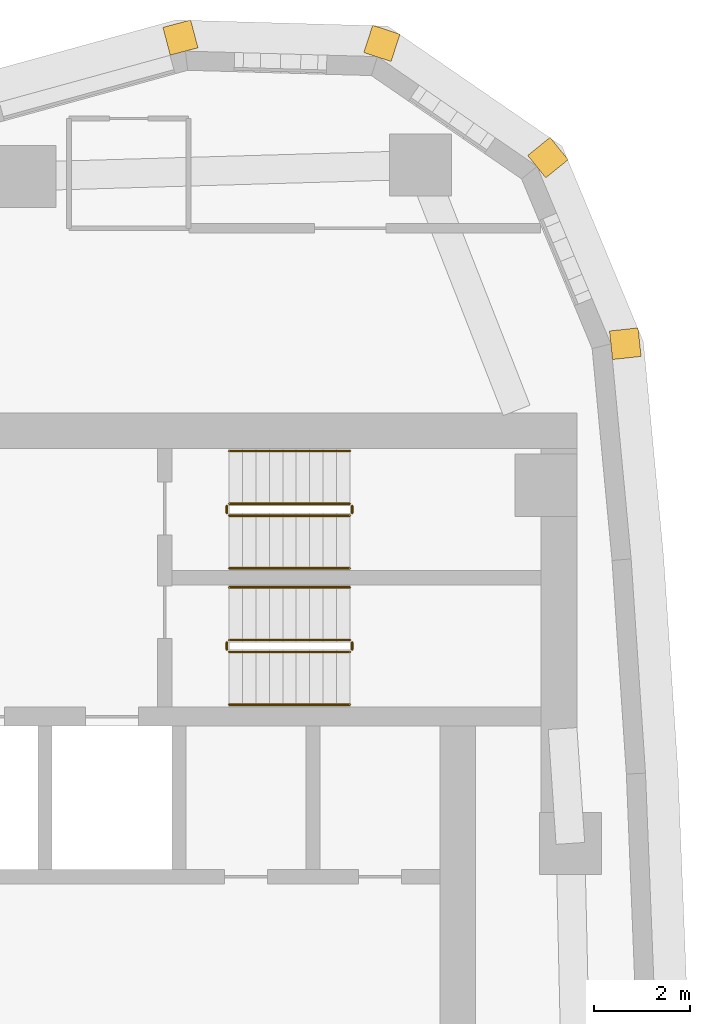
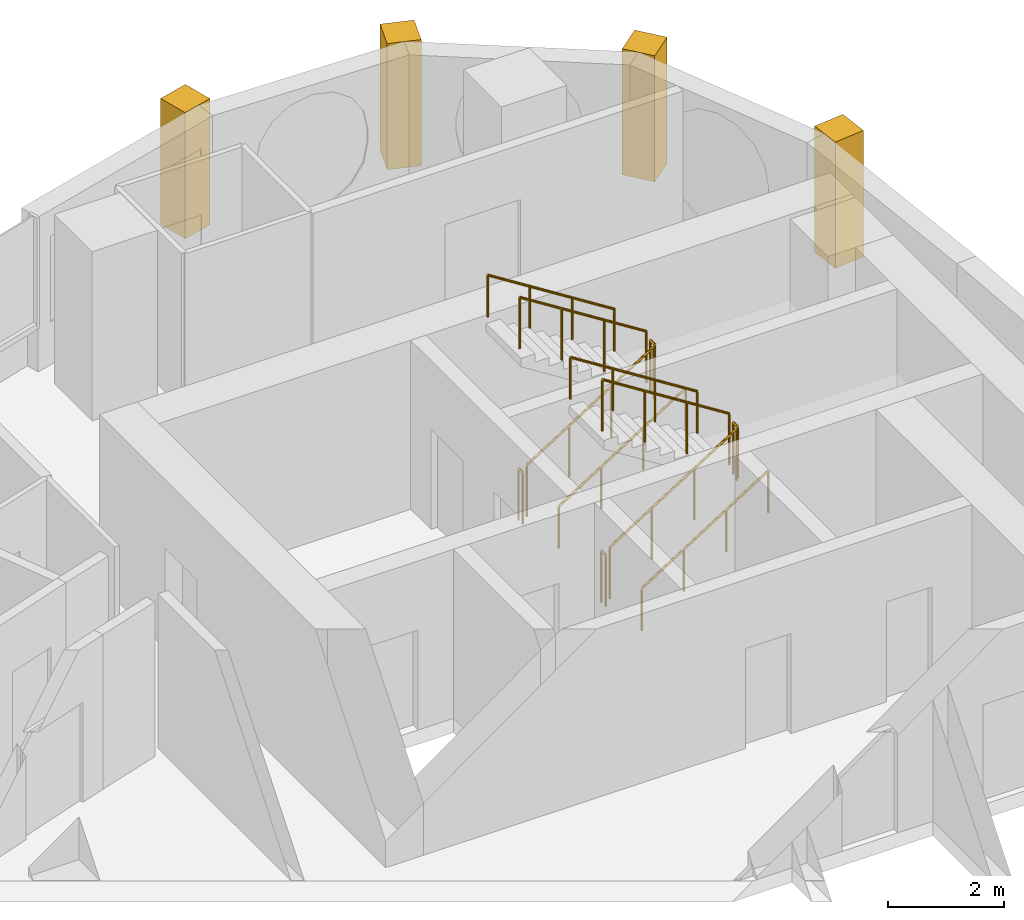
# One storey, part 17 of 17: 12 railings, 4 coverings.
"""IFC4 building model written with IfcOpenShell, lengths in metres."""

from ifc_helpers import new_model, si_unit, direction, frame, frame_2d, origin, origin_2d, place, context, subcontext, project, spatial, rectangle, circle, extrude, material, layer, layer_set, type_object, element, save


model = new_model("IFC4")

# Units and contexts
model_context = context("Model", 3, precision=1e-05, world=origin(), true_north=direction((0.0, 1.0)))
body_context = subcontext(model_context, "Body", "Model", "MODEL_VIEW")
ifc_project = project(units=[si_unit("LENGTHUNIT", "METRE"), si_unit("AREAUNIT", "SQUARE_METRE"), si_unit("VOLUMEUNIT", "CUBIC_METRE"), si_unit("PLANEANGLEUNIT", "RADIAN"), si_unit("MASSUNIT", "GRAM", prefix="KILO")], contexts=[model_context])

# Site, building, storey
site_placement = place(None, origin())
site = spatial("IfcSite", under=ifc_project, at=site_placement, CompositionType="ELEMENT")
building_placement = place(site_placement, origin())
building = spatial("IfcBuilding", under=site, at=building_placement, Name="Ostrand Prow Hotel Tower", CompositionType="ELEMENT")
storey_placement = place(building_placement, frame((0.0, 0.0, 179.050048828125)))
storey = spatial("IfcBuildingStorey", under=building, at=storey_placement, Name="L44", CompositionType="ELEMENT", Elevation=179.050048828125)

# Coverings
ifc_material_1 = material(Name="Limestone cladding", Category="masonry")
ifc_layer = layer(ifc_material_1, 0.60009765625)
ifc_layer_set = layer_set([ifc_layer], Name="Limestone cladding")
covering_type = type_object("IfcCoveringType", Name="Precast stone prow rib 600x600", PredefinedType="CLADDING", material=ifc_layer_set)
for number, where, z_axis, x_axis, name in (
    (1, (65.18017578125, 17.9111328125, 0.599853515625), (0.0, 0.0, 1.0), (0.994255138911, 0.107036062846, 0.0), "Stone corner rib 13a"),
    (2, (63.6279296875, 21.643798828125, 0.599853515625), (0.0, 0.0, 1.0), (0.776922530767, 0.62959620487, 0.0), "Stone corner rib 14a"),
    (3, (60.297607421875, 23.935302734375, 0.599853515625), (0.0, 0.0, 1.0), (0.310484329644, 0.950578498098, 0.0), "Stone corner rib 15a"),
    (4, (56.256591796875, 24.05126953125, 0.599853515625), (0.0, 0.0, 1.0), (-0.255154261231, 0.966900358349, 0.0), "Stone corner rib 15b"),
):
    element("IfcCovering", number, at=place(storey_placement, frame(where, z_axis=z_axis, x_axis=x_axis)), inside=storey, type_object=covering_type, Name=name, PredefinedType="CLADDING", context=body_context, shape_type="SweptSolid", body=[
        extrude(rectangle(XDim=0.599853515625, YDim=0.60009765625, at=frame_2d((0.2998046875, 0.0))), origin(), (0.0, 0.0, 1.0), 2.650146484375),
    ])

# Railings
ifc_material_2 = material(Name="Painted steel", Category="steel")
railing_type_1 = type_object("IfcRailingType", Name="Stair guard 1100", PredefinedType="GUARDRAIL", material=ifc_material_2)
railing_1_placement = place(storey_placement, frame((57.199951171875, 11.5, 0.177490234375)))
element("IfcRailing", 5, at=railing_1_placement, inside=storey, type_object=railing_type_1, Name="L44 ST1C stair guard 1", PredefinedType="GUARDRAIL", context=body_context, shape_type="SweptSolid", body=[
    extrude(circle(Radius=0.02392578125, at=origin_2d()), frame((0.0, 0.0, 1.076171875), z_axis=(0.84460694969, 0.0, 0.535386869969), x_axis=(0.0, 1.0, 0.0)), (0.0, 0.0, 1.0), 2.983642578125),
    extrude(circle(Radius=0.02099609375, at=origin_2d()), origin(), (0.0, 0.0, 1.0), 1.052001953125),
    extrude(circle(Radius=0.02099609375, at=origin_2d()), frame((0.840087890625, 0.0, 0.532470703125)), (0.0, 0.0, 1.0), 1.052001953125),
    extrude(circle(Radius=0.02099609375, at=origin_2d()), frame((1.679931640625, 0.0, 1.06494140625)), (0.0, 0.0, 1.0), 1.052001953125),
    extrude(circle(Radius=0.02099609375, at=origin_2d()), frame((2.52001953125, 0.0, 1.597412109375)), (0.0, 0.0, 1.0), 1.052001953125),
])
railing_2_placement = place(storey_placement, frame((59.77001953125, 11.550048828125, 1.77490234375)))
element("IfcRailing", 6, at=railing_2_placement, inside=storey, type_object=railing_type_1, Name="L44 ST1C stair guard 2", PredefinedType="GUARDRAIL", context=body_context, shape_type="SweptSolid", body=[
    extrude(circle(Radius=0.02392578125, at=origin_2d()), frame((0.0, 0.0, 1.076171875), z_axis=(0.0, 1.0, 0.0), x_axis=(-1.0, 0.0, 0.0)), (0.0, 0.0, 1.0), 0.14990234375),
    extrude(circle(Radius=0.02099609375, at=origin_2d()), origin(), (0.0, 0.0, 1.0), 1.052001953125),
    extrude(circle(Radius=0.02099609375, at=origin_2d()), frame((0.0, 0.14990234375, 0.0)), (0.0, 0.0, 1.0), 1.052001953125),
])
railing_3_placement = place(storey_placement, frame((59.719970703125, 11.75, 1.952392578125)))
element("IfcRailing", 7, at=railing_3_placement, inside=storey, type_object=railing_type_1, Name="L44 ST1C stair guard 3", PredefinedType="GUARDRAIL", context=body_context, shape_type="SweptSolid", body=[
    extrude(circle(Radius=0.02392578125, at=origin_2d()), frame((0.0, 0.0, 1.076171875), z_axis=(-0.84456994832, 0.0, 0.535445237532), x_axis=(0.0, -1.0, 0.0)), (0.0, 0.0, 1.0), 2.98388671875),
    extrude(circle(Radius=0.02099609375, at=origin_2d()), origin(), (0.0, 0.0, 1.0), 1.052001953125),
    extrude(circle(Radius=0.02099609375, at=origin_2d()), frame((-0.840087890625, 0.0, 0.532470703125)), (0.0, 0.0, 1.0), 1.052001953125),
    extrude(circle(Radius=0.02099609375, at=origin_2d()), frame((-1.679931640625, 0.0, 1.065185546875)), (0.0, 0.0, 1.0), 1.052001953125),
    extrude(circle(Radius=0.02099609375, at=origin_2d()), frame((-2.52001953125, 0.0, 1.59765625)), (0.0, 0.0, 1.0), 1.052001953125),
])
railing_4_placement = place(storey_placement, frame((57.14990234375, 11.550048828125, 0.0)))
element("IfcRailing", 8, at=railing_4_placement, inside=storey, type_object=railing_type_1, Name="L44 ST1C stair guard 4", PredefinedType="GUARDRAIL", context=body_context, shape_type="SweptSolid", body=[
    extrude(circle(Radius=0.02392578125, at=origin_2d()), frame((0.0, 0.0, 1.076171875), z_axis=(0.0, 1.0, 0.0), x_axis=(-1.0, 0.0, 0.0)), (0.0, 0.0, 1.0), 0.14990234375),
    extrude(circle(Radius=0.02099609375, at=origin_2d()), origin(), (0.0, 0.0, 1.0), 1.052001953125),
    extrude(circle(Radius=0.02099609375, at=origin_2d()), frame((0.0, 0.14990234375, 0.0)), (0.0, 0.0, 1.0), 1.052001953125),
])
railing_5_placement = place(storey_placement, frame((57.199951171875, 14.35009765625, 0.177490234375)))
element("IfcRailing", 9, at=railing_5_placement, inside=storey, type_object=railing_type_1, Name="L44 ST3C stair guard 1", PredefinedType="GUARDRAIL", context=body_context, shape_type="SweptSolid", body=[
    extrude(circle(Radius=0.02392578125, at=origin_2d()), frame((0.0, 0.0, 1.076171875), z_axis=(0.84460694969, 0.0, 0.535386869969), x_axis=(0.0, 1.0, 0.0)), (0.0, 0.0, 1.0), 2.983642578125),
    extrude(circle(Radius=0.02099609375, at=origin_2d()), origin(), (0.0, 0.0, 1.0), 1.052001953125),
    extrude(circle(Radius=0.02099609375, at=origin_2d()), frame((0.840087890625, 0.0, 0.532470703125)), (0.0, 0.0, 1.0), 1.052001953125),
    extrude(circle(Radius=0.02099609375, at=origin_2d()), frame((1.679931640625, 0.0, 1.06494140625)), (0.0, 0.0, 1.0), 1.052001953125),
    extrude(circle(Radius=0.02099609375, at=origin_2d()), frame((2.52001953125, 0.0, 1.597412109375)), (0.0, 0.0, 1.0), 1.052001953125),
])
railing_6_placement = place(storey_placement, frame((59.77001953125, 14.39990234375, 1.77490234375)))
element("IfcRailing", 10, at=railing_6_placement, inside=storey, type_object=railing_type_1, Name="L44 ST3C stair guard 2", PredefinedType="GUARDRAIL", context=body_context, shape_type="SweptSolid", body=[
    extrude(circle(Radius=0.02392578125, at=origin_2d()), frame((0.0, 0.0, 1.076171875), z_axis=(0.0, 1.0, 0.0), x_axis=(-1.0, 0.0, 0.0)), (0.0, 0.0, 1.0), 0.150146484375),
    extrude(circle(Radius=0.02099609375, at=origin_2d()), origin(), (0.0, 0.0, 1.0), 1.052001953125),
    extrude(circle(Radius=0.02099609375, at=origin_2d()), frame((0.0, 0.150146484375, 0.0)), (0.0, 0.0, 1.0), 1.052001953125),
])
railing_7_placement = place(storey_placement, frame((59.719970703125, 14.60009765625, 1.952392578125)))
element("IfcRailing", 11, at=railing_7_placement, inside=storey, type_object=railing_type_1, Name="L44 ST3C stair guard 3", PredefinedType="GUARDRAIL", context=body_context, shape_type="SweptSolid", body=[
    extrude(circle(Radius=0.02392578125, at=origin_2d()), frame((0.0, 0.0, 1.076171875), z_axis=(-0.84456994832, 0.0, 0.535445237532), x_axis=(0.0, -1.0, 0.0)), (0.0, 0.0, 1.0), 2.98388671875),
    extrude(circle(Radius=0.02099609375, at=origin_2d()), origin(), (0.0, 0.0, 1.0), 1.052001953125),
    extrude(circle(Radius=0.02099609375, at=origin_2d()), frame((-0.840087890625, 0.0, 0.532470703125)), (0.0, 0.0, 1.0), 1.052001953125),
    extrude(circle(Radius=0.02099609375, at=origin_2d()), frame((-1.679931640625, 0.0, 1.065185546875)), (0.0, 0.0, 1.0), 1.052001953125),
    extrude(circle(Radius=0.02099609375, at=origin_2d()), frame((-2.52001953125, 0.0, 1.59765625)), (0.0, 0.0, 1.0), 1.052001953125),
])
railing_8_placement = place(storey_placement, frame((57.14990234375, 14.39990234375, 0.0)))
element("IfcRailing", 12, at=railing_8_placement, inside=storey, type_object=railing_type_1, Name="L44 ST3C stair guard 4", PredefinedType="GUARDRAIL", context=body_context, shape_type="SweptSolid", body=[
    extrude(circle(Radius=0.02392578125, at=origin_2d()), frame((0.0, 0.0, 1.076171875), z_axis=(0.0, 1.0, 0.0), x_axis=(-1.0, 0.0, 0.0)), (0.0, 0.0, 1.0), 0.150146484375),
    extrude(circle(Radius=0.02099609375, at=origin_2d()), origin(), (0.0, 0.0, 1.0), 1.052001953125),
    extrude(circle(Radius=0.02099609375, at=origin_2d()), frame((0.0, 0.150146484375, 0.0)), (0.0, 0.0, 1.0), 1.052001953125),
])
ifc_material_3 = material(Name="Stainless steel", Category="steel")
railing_type_2 = type_object("IfcRailingType", Name="Stair handrail 900", PredefinedType="HANDRAIL", material=ifc_material_3)
railing_9_placement = place(storey_placement, frame((57.199951171875, 10.39990234375, 0.177490234375)))
element("IfcRailing", 13, at=railing_9_placement, inside=storey, type_object=railing_type_2, Name="L44 ST1C stair handrail 1", PredefinedType="HANDRAIL", context=body_context, shape_type="SweptSolid", body=[
    extrude(circle(Radius=0.02392578125, at=origin_2d()), frame((0.0, 0.0, 0.8759765625), z_axis=(0.84460694969, 0.0, 0.535386869969), x_axis=(0.0, 1.0, 0.0)), (0.0, 0.0, 1.0), 2.983642578125),
    extrude(circle(Radius=0.02099609375, at=origin_2d()), origin(), (0.0, 0.0, 1.0), 0.851806640625),
    extrude(circle(Radius=0.02099609375, at=origin_2d()), frame((0.840087890625, 0.0, 0.532470703125)), (0.0, 0.0, 1.0), 0.851806640625),
    extrude(circle(Radius=0.02099609375, at=origin_2d()), frame((1.679931640625, 0.0, 1.06494140625)), (0.0, 0.0, 1.0), 0.851806640625),
    extrude(circle(Radius=0.02099609375, at=origin_2d()), frame((2.52001953125, 0.0, 1.597412109375)), (0.0, 0.0, 1.0), 0.851806640625),
])
railing_10_placement = place(storey_placement, frame((59.719970703125, 12.85009765625, 1.952392578125)))
element("IfcRailing", 14, at=railing_10_placement, inside=storey, type_object=railing_type_2, Name="L44 ST1C stair handrail 2", PredefinedType="HANDRAIL", context=body_context, shape_type="SweptSolid", body=[
    extrude(circle(Radius=0.02392578125, at=origin_2d()), frame((0.0, 0.0, 0.8759765625), z_axis=(-0.84456994832, 0.0, 0.535445237532), x_axis=(0.0, -1.0, 0.0)), (0.0, 0.0, 1.0), 2.98388671875),
    extrude(circle(Radius=0.02099609375, at=origin_2d()), origin(), (0.0, 0.0, 1.0), 0.851806640625),
    extrude(circle(Radius=0.02099609375, at=origin_2d()), frame((-0.840087890625, 0.0, 0.532470703125)), (0.0, 0.0, 1.0), 0.851806640625),
    extrude(circle(Radius=0.02099609375, at=origin_2d()), frame((-1.679931640625, 0.0, 1.065185546875)), (0.0, 0.0, 1.0), 0.851806640625),
    extrude(circle(Radius=0.02099609375, at=origin_2d()), frame((-2.52001953125, 0.0, 1.59765625)), (0.0, 0.0, 1.0), 0.851806640625),
])
railing_11_placement = place(storey_placement, frame((57.199951171875, 13.25, 0.177490234375)))
element("IfcRailing", 15, at=railing_11_placement, inside=storey, type_object=railing_type_2, Name="L44 ST3C stair handrail 1", PredefinedType="HANDRAIL", context=body_context, shape_type="SweptSolid", body=[
    extrude(circle(Radius=0.02392578125, at=origin_2d()), frame((0.0, 0.0, 0.8759765625), z_axis=(0.84460694969, 0.0, 0.535386869969), x_axis=(0.0, 1.0, 0.0)), (0.0, 0.0, 1.0), 2.983642578125),
    extrude(circle(Radius=0.02099609375, at=origin_2d()), origin(), (0.0, 0.0, 1.0), 0.851806640625),
    extrude(circle(Radius=0.02099609375, at=origin_2d()), frame((0.840087890625, 0.0, 0.532470703125)), (0.0, 0.0, 1.0), 0.851806640625),
    extrude(circle(Radius=0.02099609375, at=origin_2d()), frame((1.679931640625, 0.0, 1.06494140625)), (0.0, 0.0, 1.0), 0.851806640625),
    extrude(circle(Radius=0.02099609375, at=origin_2d()), frame((2.52001953125, 0.0, 1.597412109375)), (0.0, 0.0, 1.0), 0.851806640625),
])
railing_12_placement = place(storey_placement, frame((59.719970703125, 15.699951171875, 1.952392578125)))
element("IfcRailing", 16, at=railing_12_placement, inside=storey, type_object=railing_type_2, Name="L44 ST3C stair handrail 2", PredefinedType="HANDRAIL", context=body_context, shape_type="SweptSolid", body=[
    extrude(circle(Radius=0.02392578125, at=origin_2d()), frame((0.0, 0.0, 0.8759765625), z_axis=(-0.84456994832, 0.0, 0.535445237532), x_axis=(0.0, -1.0, 0.0)), (0.0, 0.0, 1.0), 2.98388671875),
    extrude(circle(Radius=0.02099609375, at=origin_2d()), origin(), (0.0, 0.0, 1.0), 0.851806640625),
    extrude(circle(Radius=0.02099609375, at=origin_2d()), frame((-0.840087890625, 0.0, 0.532470703125)), (0.0, 0.0, 1.0), 0.851806640625),
    extrude(circle(Radius=0.02099609375, at=origin_2d()), frame((-1.679931640625, 0.0, 1.065185546875)), (0.0, 0.0, 1.0), 0.851806640625),
    extrude(circle(Radius=0.02099609375, at=origin_2d()), frame((-2.52001953125, 0.0, 1.59765625)), (0.0, 0.0, 1.0), 0.851806640625),
])

save(model, "model.ifc")
